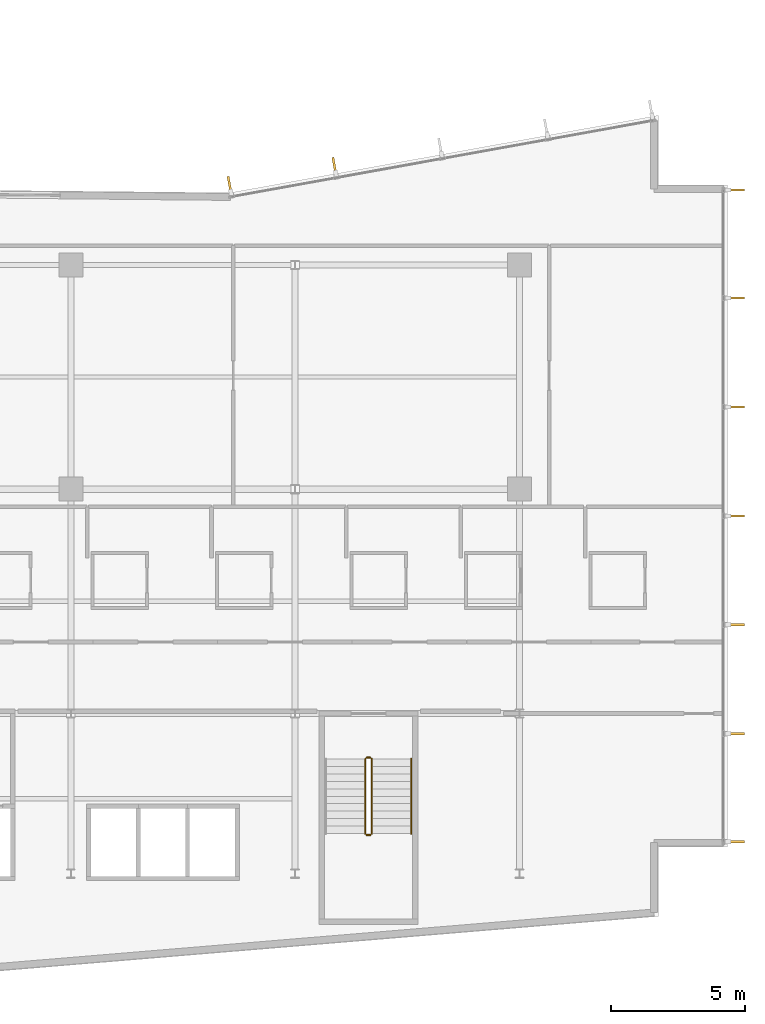
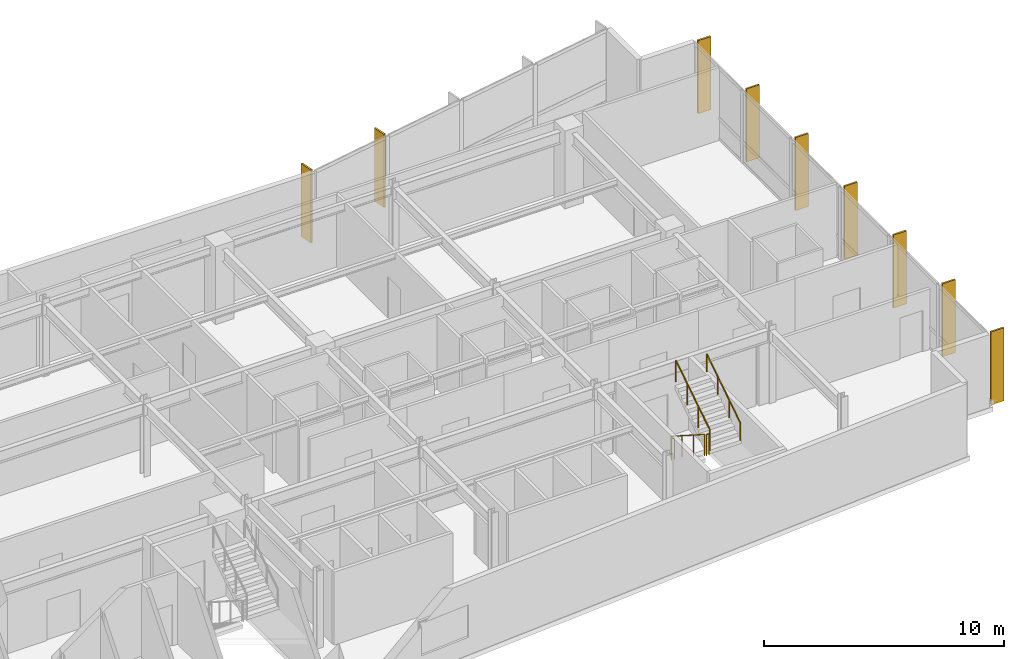
# One storey, part 18 of 20: 9 shading devices, 5 railings.
"""IFC4 building model written with IfcOpenShell, lengths in metres."""

import ifcopenshell
import ifcopenshell.guid

model = None  # the IFC model being written
_history = None  # IfcOwnerHistory: only IFC2X3 demands one
_inside = {}  # id of a spatial element -> (the spatial element, [elements in it])
_under = {}  # id of a project, library or spatial element -> (it, [spatial elements below it])
_declared = {}  # id of a project -> (the project, [libraries it declares])
_typed = {}  # id of a type object -> (the type object, [elements of that type])
_made_of = {}  # id of a material, layer set ... -> (it, [elements and type objects made of it])


def new_model(schema):
    """Start an empty IFC model of exactly this schema.

    Asked for "IFC4X3", IfcOpenShell would pick the latest addendum, in which some entities
    have other attributes; the version numbers below select the first issue.
    IFC2X3 requires an IfcOwnerHistory on every rooted entity: one is made here for all.
    """
    global model, _history
    if schema == "IFC4X3":
        model = ifcopenshell.file(schema_version=(4, 3, 0, 0))
    else:
        model = ifcopenshell.file(schema=schema)
    _inside.clear()
    _under.clear()
    _declared.clear()
    _typed.clear()
    _made_of.clear()
    _history = None
    if model.schema == "IFC2X3":
        org = make("IfcOrganization", Name="unknown")
        user = make(
            "IfcPersonAndOrganization",
            ThePerson=make("IfcPerson", FamilyName="unknown"),
            TheOrganization=org,
        )
        app = make(
            "IfcApplication",
            ApplicationDeveloper=org,
            Version="unknown",
            ApplicationFullName="unknown",
            ApplicationIdentifier="unknown",
        )
        _history = make(
            "IfcOwnerHistory",
            OwningUser=user,
            OwningApplication=app,
            ChangeAction="ADDED",
            CreationDate=0,
        )
    return model


def make(cls, **values):
    """One entity of the class cls with the attributes given. An attribute that is None is left unset."""
    return model.create_entity(
        cls, **{name: value for name, value in values.items() if value is not None}
    )


def rooted(cls, **values):
    """An entity with a GlobalId (a new one), such as an element, a storey or a relation."""
    return make(cls, GlobalId=ifcopenshell.guid.new(), OwnerHistory=_history, **values)


def si_unit(unit_type, name, prefix=None):
    """IfcSIUnit, for example si_unit("LENGTHUNIT", "METRE", prefix="MILLI")."""
    return make("IfcSIUnit", UnitType=unit_type, Prefix=prefix, Name=name)


def assignment(units):
    """IfcUnitAssignment: the units of a project."""
    return None if units is None else make("IfcUnitAssignment", Units=units)


def point(xyz):
    """IfcCartesianPoint."""
    return None if xyz is None else make("IfcCartesianPoint", Coordinates=xyz)


def direction(xyz):
    """IfcDirection."""
    return None if xyz is None else make("IfcDirection", DirectionRatios=xyz)


def frame(location, z_axis=None, x_axis=None):
    """IfcAxis2Placement3D, a coordinate frame: its origin and axes. An axis left out is left unset."""
    return make(
        "IfcAxis2Placement3D",
        Location=point(location),
        Axis=direction(z_axis),
        RefDirection=direction(x_axis),
    )


def frame_2d(location, x_axis=None):
    """IfcAxis2Placement2D, a coordinate frame in the plane: its origin and x axis."""
    return make(
        "IfcAxis2Placement2D", Location=point(location), RefDirection=direction(x_axis)
    )


def origin():
    """The frame at (0, 0, 0) with its axes left unset."""
    return frame((0.0, 0.0, 0.0))


def origin_2d():
    """The frame at (0, 0) in the plane with its x axis left unset."""
    return frame_2d((0.0, 0.0))


def place(relative_to, where):
    """IfcLocalPlacement: puts the frame where relative to a parent placement (None: the world)."""
    return make(
        "IfcLocalPlacement", PlacementRelTo=relative_to, RelativePlacement=where
    )


def context(
    kind, dimensions, precision=None, world=None, true_north=None, identifier=None
):
    """IfcGeometricRepresentationContext, for example the 3D "Model" context."""
    return make(
        "IfcGeometricRepresentationContext",
        ContextIdentifier=identifier,
        ContextType=kind,
        CoordinateSpaceDimension=dimensions,
        Precision=precision,
        WorldCoordinateSystem=world,
        TrueNorth=true_north,
    )


def subcontext(parent, identifier, kind, view, scale=None):
    """IfcGeometricRepresentationSubContext, for example "Body" below "Model"."""
    return make(
        "IfcGeometricRepresentationSubContext",
        ContextIdentifier=identifier,
        ContextType=kind,
        ParentContext=parent,
        TargetScale=scale,
        TargetView=view,
    )


def project(units=None, contexts=None):
    """IfcProject with its units and contexts."""
    return rooted(
        "IfcProject",
        Name="project",
        RepresentationContexts=contexts,
        UnitsInContext=assignment(units),
    )


def spatial(cls, under=None, at=None, **own):
    """A site, building, storey or space (cls), placed at a placement, below another one or the project."""
    s = rooted(cls, ObjectPlacement=at, **own)
    if under is not None:
        _under.setdefault(under.id(), (under, []))[1].append(s)
    return s


def profile(cls, at=None, kind="AREA", **sizes):
    """A parametric profile (cls). Its sizes go by their IFC names, for example OverallWidth=200.0."""
    return make(cls, ProfileType=kind, Position=at, **sizes)


def rectangle(**sizes):
    """IfcRectangleProfileDef."""
    return profile("IfcRectangleProfileDef", **sizes)


def circle(**sizes):
    """IfcCircleProfileDef."""
    return profile("IfcCircleProfileDef", **sizes)


def extrude(swept, where, along, depth):
    """IfcExtrudedAreaSolid: the profile swept, set in the frame where, extruded along a direction by depth."""
    return make(
        "IfcExtrudedAreaSolid",
        SweptArea=swept,
        Position=where,
        ExtrudedDirection=direction(along),
        Depth=depth,
    )


def shape(context_of_items, identifier, shape_type, items):
    """IfcShapeRepresentation: the items that make up one representation, for example the "Body"."""
    return make(
        "IfcShapeRepresentation",
        ContextOfItems=context_of_items,
        RepresentationIdentifier=identifier,
        RepresentationType=shape_type,
        Items=items,
    )


def material(Name=None, Category=None):
    """IfcMaterial."""
    return make("IfcMaterial", Name=Name, Category=Category)


def layer(
    of_material, thickness, ventilated=None, Name=None, Category=None, Priority=None
):
    """IfcMaterialLayer: one layer of a wall or slab, of a material (None: an air gap)."""
    return make(
        "IfcMaterialLayer",
        Material=of_material,
        LayerThickness=thickness,
        IsVentilated=ventilated,
        Name=Name,
        Category=Category,
        Priority=Priority,
    )


def layer_set(layers, Name=None):
    """IfcMaterialLayerSet."""
    return make("IfcMaterialLayerSet", MaterialLayers=layers, LayerSetName=Name)


def made_of(thing, what):
    """Note that an element or type object is made of a material, layer set ...; save() writes the relation."""
    if what is not None:
        _made_of.setdefault(what.id(), (what, []))[1].append(thing)
    return thing


def type_object(cls, material=None, **own):
    """A type object (cls), such as IfcWallType, which elements share."""
    return made_of(rooted(cls, **own), material)


def element(
    cls,
    number,
    at=None,
    inside=None,
    cuts=None,
    type_object=None,
    material=None,
    context=None,
    identifier="Body",
    shape_type=None,
    held_by="IfcProductDefinitionShape",
    body=None,
    shapes=None,
    **own,
):
    """One element of the class cls, such as IfcWall. Its Tag is "e" and its number.

    at: its placement. inside: the storey or other place that contains it. cuts: it is an
    opening in that element (IfcRelVoidsElement). A single representation is given by context,
    identifier, shape_type and body (its items); several are given by shapes. held_by: the class
    of the entity that holds the representations. save() writes the other relations.
    """
    e = rooted(cls, Tag="e%d" % number, ObjectPlacement=at, **own)
    if body is not None:
        shapes = [shape(context, identifier, shape_type, body)]
    if shapes is not None:
        e.Representation = make(held_by, Representations=shapes)
    if inside is not None:
        _inside.setdefault(inside.id(), (inside, []))[1].append(e)
    if cuts is not None:
        rooted(
            "IfcRelVoidsElement", RelatingBuildingElement=cuts, RelatedOpeningElement=e
        )
    if type_object is not None:
        _typed.setdefault(type_object.id(), (type_object, []))[1].append(e)
    return made_of(e, material)


def aggregate(whole, parts):
    """IfcRelAggregates: a whole, such as a stair, and the parts it consists of."""
    return rooted("IfcRelAggregates", RelatingObject=whole, RelatedObjects=parts)


def save(model, path):
    """Write the relations noted so far, then the file.

    IfcRelAggregates (storeys below a building ...), IfcRelContainedInSpatialStructure (elements
    in a storey), IfcRelDefinesByType, IfcRelAssociatesMaterial and IfcRelDeclares: one each for
    every whole, place, type object, material and project.
    """
    for whole, parts in _under.values():
        aggregate(whole, parts)
    for where, things in _inside.values():
        rooted(
            "IfcRelContainedInSpatialStructure",
            RelatedElements=things,
            RelatingStructure=where,
        )
    for kind, things in _typed.values():
        rooted("IfcRelDefinesByType", RelatedObjects=things, RelatingType=kind)
    for what, things in _made_of.values():
        rooted("IfcRelAssociatesMaterial", RelatedObjects=things, RelatingMaterial=what)
    for by, libraries in _declared.values():
        rooted("IfcRelDeclares", RelatingContext=by, RelatedDefinitions=libraries)
    model.write(path)


model = new_model("IFC4")

# Units and contexts
model_context = context("Model", 3, precision=1e-05, world=origin(), true_north=direction((0.0, 1.0)))
body_context = subcontext(model_context, "Body", "Model", "MODEL_VIEW")
ifc_project = project(units=[si_unit("LENGTHUNIT", "METRE"), si_unit("AREAUNIT", "SQUARE_METRE"), si_unit("VOLUMEUNIT", "CUBIC_METRE"), si_unit("PLANEANGLEUNIT", "RADIAN"), si_unit("MASSUNIT", "GRAM", prefix="KILO")], contexts=[model_context])

# Site, building, storey
site_placement = place(None, origin())
site = spatial("IfcSite", under=ifc_project, at=site_placement, CompositionType="ELEMENT")
building_placement = place(site_placement, origin())
building = spatial("IfcBuilding", under=site, at=building_placement, Name="Varnakote Quay Hospital", CompositionType="ELEMENT")
storey_placement = place(building_placement, frame((0.0, 0.0, 81.75)))
storey = spatial("IfcBuildingStorey", under=building, at=storey_placement, Name="L20", CompositionType="ELEMENT", Elevation=81.75)

# Railings
ifc_material_1 = material(Name="Brushed stainless steel balustrade", Category="steel")
railing_type_1 = type_object("IfcRailingType", Name="RLG-STAIR-GUARD-1150", PredefinedType="GUARDRAIL", material=ifc_material_1)
railing_1_placement = place(storey_placement, frame((44.6298828125, 10.300048828125, 0.179443359375)))
element("IfcRailing", 1, at=railing_1_placement, inside=storey, type_object=railing_type_1, Name="L20 ST-03 stair guard 1", PredefinedType="GUARDRAIL", context=body_context, shape_type="SweptSolid", body=[
    extrude(circle(Radius=0.02392578125, at=origin_2d()), frame((0.0, 0.0, 1.076171875), z_axis=(0.0, -0.841776520102, 0.539826166654), x_axis=(1.0, 0.0, 0.0)), (0.0, 0.0, 1.0), 3.326416015625),
    extrude(circle(Radius=0.02099609375, at=origin_2d()), origin(), (0.0, 0.0, 1.0), 1.052001953125),
    extrude(circle(Radius=0.02099609375, at=origin_2d()), frame((0.0, -0.933349609375, 0.5986328125)), (0.0, 0.0, 1.0), 1.052001953125),
    extrude(circle(Radius=0.02099609375, at=origin_2d()), frame((0.0, -1.86669921875, 1.197021484375)), (0.0, 0.0, 1.0), 1.052001953125),
    extrude(circle(Radius=0.02099609375, at=origin_2d()), frame((0.0, -2.800048828125, 1.795654296875)), (0.0, 0.0, 1.0), 1.052001953125),
])
railing_2_placement = place(storey_placement, frame((44.679931640625, 7.449951171875, 1.97509765625)))
element("IfcRailing", 2, at=railing_2_placement, inside=storey, type_object=railing_type_1, Name="L20 ST-03 stair guard 2", PredefinedType="GUARDRAIL", context=body_context, shape_type="SweptSolid", body=[
    extrude(circle(Radius=0.02392578125, at=origin_2d()), frame((0.0, 0.0, 1.076171875), z_axis=(1.0, 0.0, 0.0), x_axis=(0.0, 1.0, 0.0)), (0.0, 0.0, 1.0), 0.14013671875),
    extrude(circle(Radius=0.02099609375, at=origin_2d()), origin(), (0.0, 0.0, 1.0), 1.052001953125),
    extrude(circle(Radius=0.02099609375, at=origin_2d()), frame((0.14013671875, 0.0, 0.0)), (0.0, 0.0, 1.0), 1.052001953125),
])
railing_3_placement = place(storey_placement, frame((44.8701171875, 7.5, 2.154541015625)))
element("IfcRailing", 3, at=railing_3_placement, inside=storey, type_object=railing_type_1, Name="L20 ST-03 stair guard 3", PredefinedType="GUARDRAIL", context=body_context, shape_type="SweptSolid", body=[
    extrude(circle(Radius=0.02392578125, at=origin_2d()), frame((0.0, 0.0, 1.076171875), z_axis=(0.0, 0.841809871826, 0.539774156196), x_axis=(-1.0, 0.0, 0.0)), (0.0, 0.0, 1.0), 3.326171875),
    extrude(circle(Radius=0.02099609375, at=origin_2d()), origin(), (0.0, 0.0, 1.0), 1.052001953125),
    extrude(circle(Radius=0.02099609375, at=origin_2d()), frame((0.0, 0.933349609375, 0.598388671875)), (0.0, 0.0, 1.0), 1.052001953125),
    extrude(circle(Radius=0.02099609375, at=origin_2d()), frame((0.0, 1.86669921875, 1.197021484375)), (0.0, 0.0, 1.0), 1.052001953125),
    extrude(circle(Radius=0.02099609375, at=origin_2d()), frame((0.0, 2.800048828125, 1.79541015625)), (0.0, 0.0, 1.0), 1.052001953125),
])
railing_4_placement = place(storey_placement, frame((44.679931640625, 10.35009765625, 0.0)))
element("IfcRailing", 4, at=railing_4_placement, inside=storey, type_object=railing_type_1, Name="L20 ST-03 stair guard 4", PredefinedType="GUARDRAIL", context=body_context, shape_type="SweptSolid", body=[
    extrude(circle(Radius=0.02392578125, at=origin_2d()), frame((0.0, 0.0, 1.076171875), z_axis=(1.0, 0.0, 0.0), x_axis=(0.0, 1.0, 0.0)), (0.0, 0.0, 1.0), 0.14013671875),
    extrude(circle(Radius=0.02099609375, at=origin_2d()), origin(), (0.0, 0.0, 1.0), 1.052001953125),
    extrude(circle(Radius=0.02099609375, at=origin_2d()), frame((0.14013671875, 0.0, 0.0)), (0.0, 0.0, 1.0), 1.052001953125),
])
ifc_material_2 = material(Name="Brushed stainless steel handrail", Category="steel")
railing_type_2 = type_object("IfcRailingType", Name="RLG-STAIR-HND-920", PredefinedType="HANDRAIL", material=ifc_material_2)
railing_5_placement = place(storey_placement, frame((46.35009765625, 7.5, 2.154541015625)))
element("IfcRailing", 5, at=railing_5_placement, inside=storey, type_object=railing_type_2, Name="L20 ST-03 stair handrail 2", PredefinedType="HANDRAIL", context=body_context, shape_type="SweptSolid", body=[
    extrude(circle(Radius=0.02392578125, at=origin_2d()), frame((0.0, 0.0, 0.8759765625), z_axis=(0.0, 0.841809871826, 0.539774156196), x_axis=(-1.0, 0.0, 0.0)), (0.0, 0.0, 1.0), 3.326171875),
    extrude(circle(Radius=0.02099609375, at=origin_2d()), origin(), (0.0, 0.0, 1.0), 0.851806640625),
    extrude(circle(Radius=0.02099609375, at=origin_2d()), frame((0.0, 0.933349609375, 0.598388671875)), (0.0, 0.0, 1.0), 0.851806640625),
    extrude(circle(Radius=0.02099609375, at=origin_2d()), frame((0.0, 1.86669921875, 1.197021484375)), (0.0, 0.0, 1.0), 0.851806640625),
    extrude(circle(Radius=0.02099609375, at=origin_2d()), frame((0.0, 2.800048828125, 1.79541015625)), (0.0, 0.0, 1.0), 0.851806640625),
])

# Shading devices
ifc_material_3 = material(Name="Anodised aluminium 6063-T6 Bronze", Category="aluminium")
ifc_layer = layer(ifc_material_3, 0.0849609375)
ifc_layer_set = layer_set([ifc_layer], Name="Anodised aluminium 6063-T6 Bronze")
shading_device_type = type_object("IfcShadingDeviceType", Name="SHD-BRONZE-FIN-620", PredefinedType="USERDEFINED", material=ifc_layer_set)
for number, where, z_axis, x_axis, name in (
    (6, (58.510009765625, 7.197509765625, 0.0), (0.0, 0.0, 1.0), (-1.0, 0.0, 0.0), "L20 Anodised Bronze Vertical Shading FIN"),
    (7, (58.510009765625, 11.239990234375, 0.0), (0.0, 0.0, 1.0), (-1.0, 0.0, 0.0), "L20 Anodised Bronze Vertical Shading FIN"),
    (8, (58.510009765625, 15.320068359375, 0.0), (0.0, 0.0, 1.0), (-1.0, 0.0, 0.0), "L20 Anodised Bronze Vertical Shading FIN"),
    (9, (58.510009765625, 19.39990234375, 0.0), (0.0, 0.0, 1.0), (-1.0, 0.0, 0.0), "L20 Anodised Bronze Vertical Shading FIN"),
    (10, (58.510009765625, 23.47998046875, 0.0), (0.0, 0.0, 1.0), (-1.0, 0.0, 0.0), "L20 Anodised Bronze Vertical Shading FIN"),
    (11, (58.510009765625, 27.56005859375, 0.0), (0.0, 0.0, 1.0), (-1.0, 0.0, 0.0), "L20 Anodised Bronze Vertical Shading FIN"),
    (12, (58.510009765625, 31.6025390625, 0.0), (0.0, 0.0, 1.0), (-1.0, 0.0, 0.0), "L20 Anodised Bronze Vertical Shading FIN"),
    (13, (43.468505859375, 32.522705078125, 0.0), (0.0, 0.0, 1.0), (0.177771795263, -0.984071739666, 0.0), "L20 Anodised Bronze Vertical Shading FIN"),
    (14, (39.54296875, 31.81298828125, 0.0), (0.0, 0.0, 1.0), (0.177771795263, -0.984071739666, 0.0), "L20 Anodised Bronze Vertical Shading FIN"),
):
    element("IfcShadingDevice", number, at=place(storey_placement, frame(where, z_axis=z_axis, x_axis=x_axis)), inside=storey, type_object=shading_device_type, Name=name, ObjectType="FIN", PredefinedType="USERDEFINED", context=body_context, shape_type="SweptSolid", body=[
        extrude(rectangle(XDim=0.6201171875, YDim=0.0849609375, at=origin_2d()), origin(), (0.0, 0.0, 1.0), 3.7099609375),
    ])

save(model, "model.ifc")
